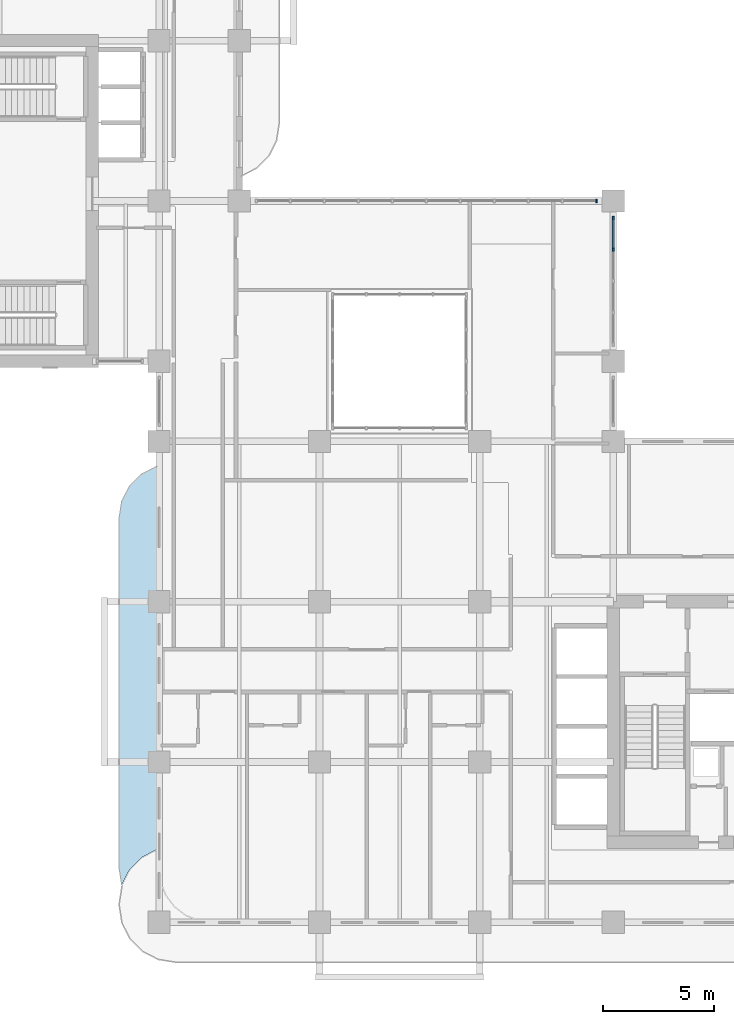
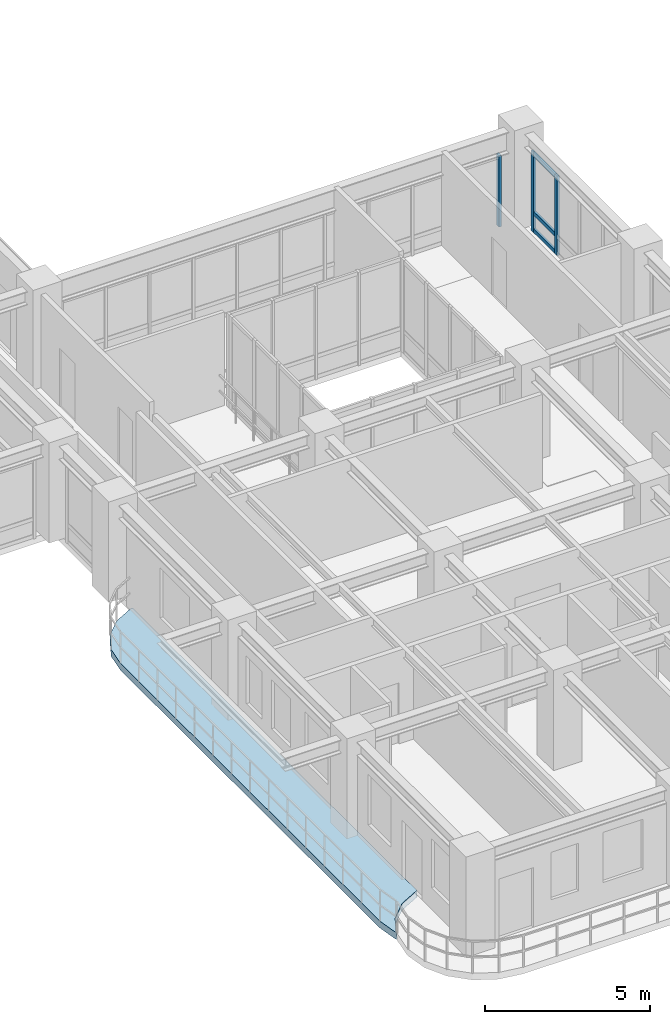
# One storey, part 7 of 20: 6 members, 1 slab, 2 elements without a shape of their own.
"""IFC4 building model written with IfcOpenShell, lengths in metres."""

from ifc_helpers import new_model, si_unit, derived_unit, direction, frame, origin, origin_2d, place, context, subcontext, project, spatial, polyline, rectangle, outline, extrude, source, transform, mapped, material, layer, layer_set, material_profile, profile_set, type_object, element, aggregate, save


model = new_model("IFC4")

# Units and contexts
model_context = context("Model", 3, precision=1e-05, world=origin(), true_north=direction((0.0, 1.0)))
body_context = subcontext(model_context, "Body", "Model", "MODEL_VIEW")
ifc_project = project(units=[si_unit("LENGTHUNIT", "METRE"), si_unit("AREAUNIT", "SQUARE_METRE"), si_unit("VOLUMEUNIT", "CUBIC_METRE"), si_unit("PLANEANGLEUNIT", "RADIAN"), si_unit("MASSUNIT", "GRAM", prefix="KILO"), si_unit("THERMODYNAMICTEMPERATUREUNIT", "KELVIN"), si_unit("POWERUNIT", "WATT"), derived_unit("THERMALTRANSMITTANCEUNIT", [(si_unit("POWERUNIT", "WATT"), 1), (si_unit("AREAUNIT", "SQUARE_METRE"), -1), (si_unit("THERMODYNAMICTEMPERATUREUNIT", "KELVIN"), -1)])], contexts=[model_context])

# Site, building, storey
site_placement = place(None, origin())
site = spatial("IfcSite", under=ifc_project, at=site_placement, CompositionType="ELEMENT")
building_placement = place(site_placement, origin())
building = spatial("IfcBuilding", under=site, at=building_placement, Name="Zahravan Archway Hotel and Residences", CompositionType="ELEMENT")
storey_placement = place(building_placement, frame((0.0, 0.0, 126.60009765625)))
storey = spatial("IfcBuildingStorey", under=building, at=storey_placement, Name="L31", CompositionType="ELEMENT", Elevation=126.60009765625)

# Curtain wall, members
ifc_material_1 = material(Name="Bronze-Anodized Unitised Aluminium & Low-E Glass", Category="aluminium")
ifc_layer_1 = layer(ifc_material_1, 0.179931640625, Name="Bronze-Anodized Unitised Aluminium & Low-E Glass", Category="aluminium")
ifc_layer_set_1 = layer_set([ifc_layer_1], Name="Bronze-Anodized Unitised Aluminium & Low-E Glass")
curtain_wall_type = type_object("IfcCurtainWallType", Name="CW-ATR-GLAZ", PredefinedType="NOTDEFINED", material=ifc_layer_set_1)
curtain_wall_1_placement = place(storey_placement, origin())
curtain_wall_1 = element("IfcCurtainWall", 1, at=curtain_wall_1_placement, inside=storey, type_object=curtain_wall_type, Name="L31 Curtain Wall CW-L31-HNG-E-2", PredefinedType="NOTDEFINED")
ifc_material_2 = material(Name="Bronze-Anodized Extruded Aluminium", Category="aluminium")
ifc_material_profile_1 = material_profile(ifc_material_2, rectangle(XDim=0.080078125, YDim=0.139892578125, at=origin_2d()), Name="TRN 80x140", Category="aluminium")
ifc_profile_set_1 = profile_set([ifc_material_profile_1], Name="Bronze-Anodized Extruded Aluminium")
member_type_1 = type_object("IfcMemberType", Name="CWM-TRN-140", PredefinedType="USERDEFINED", material=ifc_profile_set_1)
shared_shape_1 = source(origin(), body_context, "Body", "SweptSolid", [
    extrude(rectangle(XDim=0.080078125, YDim=0.139892578125, at=origin_2d()), origin(), (0.0, 0.0, 1.0), 1.340087890625),
])
member_1_placement = place(storey_placement, frame((34.800048828125, 30.260009765625, 0.06982421875), z_axis=(0.0, 1.0, 0.0), x_axis=(-1.0, 0.0, 0.0)))
member_1 = element("IfcMember", 2, at=member_1_placement, type_object=member_type_1, Name="CW-L31-HNG-E-2 Transom 3-1", ObjectType="TRANSOM", PredefinedType="USERDEFINED", context=body_context, shape_type="MappedRepresentation", body=[
    mapped(shared_shape_1, transform((0.0, 0.0, 0.0), scale=1.0)),
])
member_2_placement = place(storey_placement, frame((34.800048828125, 30.260009765625, 0.704345703125), z_axis=(0.0, 1.0, 0.0), x_axis=(-1.0, 0.0, 0.0)))
member_2 = element("IfcMember", 3, at=member_2_placement, type_object=member_type_1, Name="CW-L31-HNG-E-2 Transom 3-2", ObjectType="TRANSOM", PredefinedType="USERDEFINED", context=body_context, shape_type="MappedRepresentation", body=[
    mapped(shared_shape_1, transform((0.0, 0.0, 0.0), scale=1.0)),
])
member_3_placement = place(storey_placement, frame((34.800048828125, 30.260009765625, 2.864990234375), z_axis=(0.0, 1.0, 0.0), x_axis=(-1.0, 0.0, 0.0)))
member_3 = element("IfcMember", 4, at=member_3_placement, type_object=member_type_1, Name="CW-L31-HNG-E-2 Transom 3-3", ObjectType="TRANSOM", PredefinedType="USERDEFINED", context=body_context, shape_type="MappedRepresentation", body=[
    mapped(shared_shape_1, transform((0.0, 0.0, 0.0), scale=1.0)),
])

# Curtain wall, member
curtain_wall_2_placement = place(storey_placement, origin())
curtain_wall_2 = element("IfcCurtainWall", 5, at=curtain_wall_2_placement, inside=storey, type_object=curtain_wall_type, Name="L31 Curtain Wall CW-L31-HNG-N-1", PredefinedType="NOTDEFINED")
ifc_material_profile_2 = material_profile(ifc_material_2, rectangle(XDim=0.080078125, YDim=0.159912109375, at=origin_2d()), Name="MUL 80x160", Category="aluminium")
ifc_profile_set_2 = profile_set([ifc_material_profile_2], Name="Bronze-Anodized Extruded Aluminium")
member_type_2 = type_object("IfcMemberType", Name="CWM-MUL-160", PredefinedType="MULLION", material=ifc_profile_set_2)
shared_shape_2 = source(origin(), body_context, "Body", "SweptSolid", [
    extrude(rectangle(XDim=0.080078125, YDim=0.159912109375, at=origin_2d()), origin(), (0.0, 0.0, 1.0), 2.635009765625),
])
member_4_placement = place(storey_placement, frame((34.0400390625, 32.39990234375, 0.0), z_axis=(0.0, 0.0, 1.0), x_axis=(1.0, 0.0, 0.0)))
member_4 = element("IfcMember", 6, at=member_4_placement, type_object=member_type_2, Name="CW-L31-HNG-N-1 Mullion 10", PredefinedType="MULLION", context=body_context, shape_type="MappedRepresentation", body=[
    mapped(shared_shape_2, transform((0.0, 0.0, 0.0), scale=1.0)),
])
aggregate(curtain_wall_2, [member_4])

# Member
shared_shape_3 = source(origin(), body_context, "Body", "SweptSolid", [
    extrude(rectangle(XDim=0.080078125, YDim=0.159912109375, at=origin_2d()), origin(), (0.0, 0.0, 1.0), 2.934814453125),
])
member_5_placement = place(storey_placement, frame((34.800048828125, 30.219970703125, 0.0), z_axis=(0.0, 0.0, 1.0), x_axis=(1.0, 0.0, 0.0)))
member_5 = element("IfcMember", 7, at=member_5_placement, type_object=member_type_2, Name="CW-L31-HNG-E-2 Mullion 3", PredefinedType="MULLION", context=body_context, shape_type="MappedRepresentation", body=[
    mapped(shared_shape_3, transform((0.0, 0.0, 0.0), scale=1.0)),
])

member_6_placement = place(storey_placement, frame((34.800048828125, 31.639892578125, 0.0), z_axis=(0.0, 0.0, 1.0), x_axis=(1.0, 0.0, 0.0)))
member_6 = element("IfcMember", 8, at=member_6_placement, type_object=member_type_2, Name="CW-L31-HNG-E-2 Mullion 4", PredefinedType="MULLION", context=body_context, shape_type="MappedRepresentation", body=[
    mapped(shared_shape_3, transform((0.0, 0.0, 0.0), scale=1.0)),
])

aggregate(curtain_wall_1, [member_5, member_6, member_1, member_2, member_3])

# Slab
ifc_material_3 = material(Name="Concrete C45/55", Category="concrete")
ifc_layer_2 = layer(ifc_material_3, 0.25, Name="Concrete C45/55", Category="concrete")
ifc_layer_set_2 = layer_set([ifc_layer_2], Name="Concrete C45/55")
slab_type = type_object("IfcSlabType", Name="SLB-BALC-250", PredefinedType="FLOOR", material=ifc_layer_set_2)
slab_placement = place(storey_placement, frame((0.0, 0.0, -0.25)))
element("IfcSlab", 9, at=slab_placement, inside=storey, type_object=slab_type, Name="L31 Wing A West Rounded Balcony Band", PredefinedType="FLOOR", context=body_context, shape_type="SweptSolid", body=[
    extrude(outline(polyline([(12.719970703125, 1.69287109375), (12.60009765625, 2.449951171875), (12.60009765625, 18.14990234375), (12.719970703125, 18.906982421875), (13.06787109375, 19.590087890625), (13.60986328125, 20.132080078125), (14.29296875, 20.47998046875), (14.3798828125, 20.493896484375), (14.3798828125, 3.298095703125), (14.37890625, 3.298095703125), (14.376953125, 3.2978515625), (14.35888671875, 3.294921875), (14.356689453125, 3.29443359375), (14.354736328125, 3.2939453125), (14.352783203125, 3.29296875), (13.64208984375, 2.930908203125), (13.64013671875, 2.9296875), (13.638427734375, 2.928466796875), (13.636962890625, 2.927001953125), (13.072998046875, 2.363037109375), (13.071533203125, 2.361572265625), (13.0703125, 2.35986328125), (13.069091796875, 2.35791015625), (12.72509765625, 1.6826171875), (12.719970703125, 1.69287109375)])), origin(), (0.0, 0.0, 1.0), 0.25),
])

save(model, "model.ifc")
